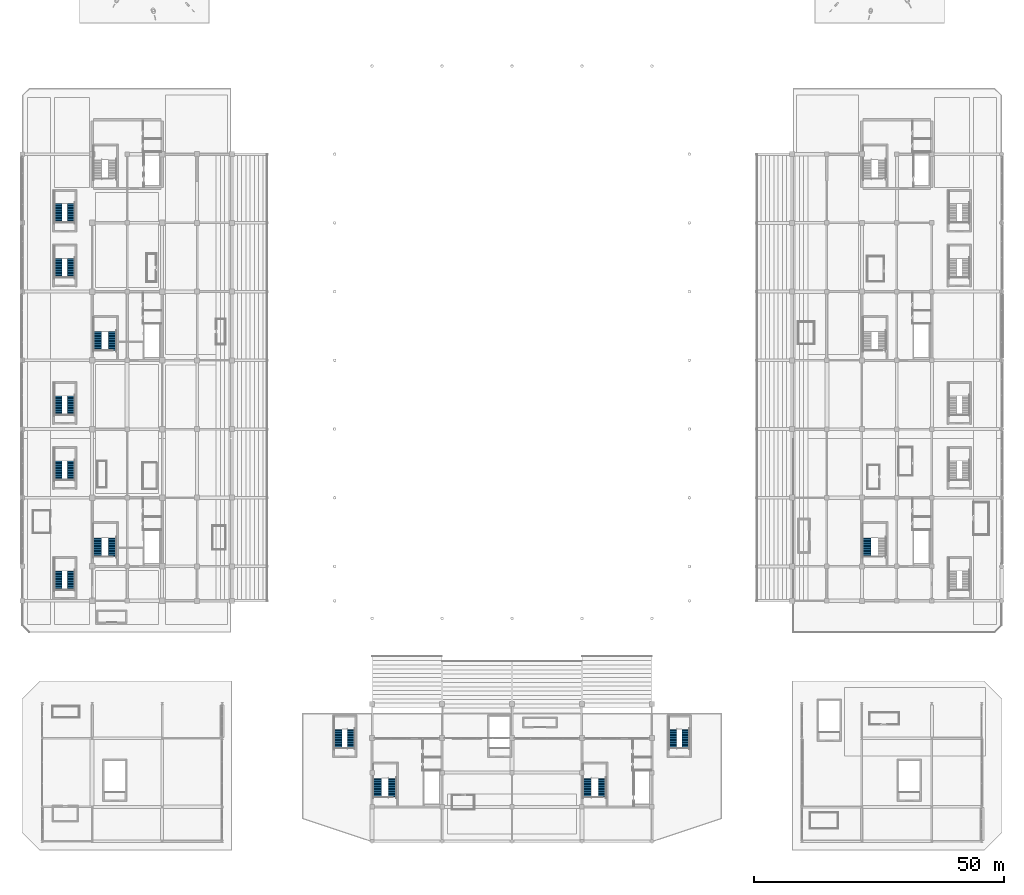
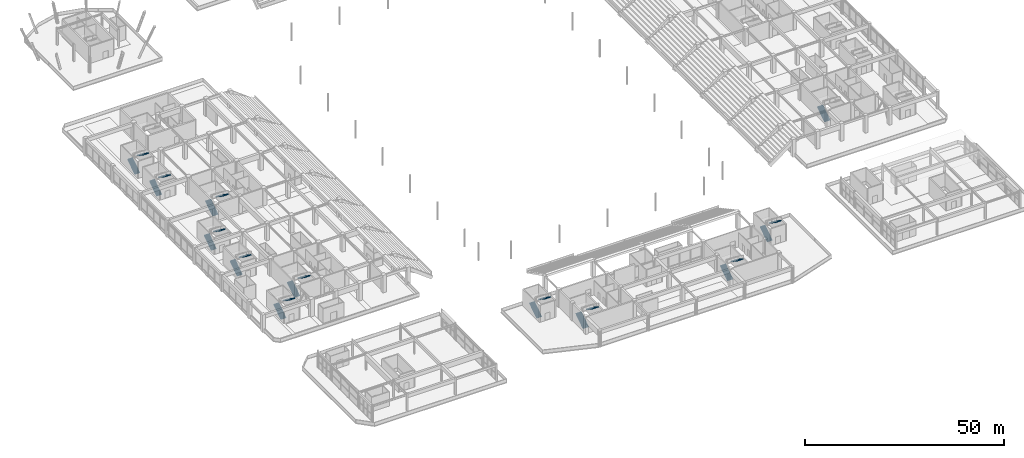
# One storey, part 100 of 117: 23 stair flights, 12 elements without a shape of their own.
"""IFC4 building model written with IfcOpenShell, lengths in metres."""

import ifcopenshell
import ifcopenshell.guid

model = None  # the IFC model being written
_history = None  # IfcOwnerHistory: only IFC2X3 demands one
_inside = {}  # id of a spatial element -> (the spatial element, [elements in it])
_under = {}  # id of a project, library or spatial element -> (it, [spatial elements below it])
_declared = {}  # id of a project -> (the project, [libraries it declares])
_typed = {}  # id of a type object -> (the type object, [elements of that type])
_made_of = {}  # id of a material, layer set ... -> (it, [elements and type objects made of it])


def new_model(schema):
    """Start an empty IFC model of exactly this schema.

    Asked for "IFC4X3", IfcOpenShell would pick the latest addendum, in which some entities
    have other attributes; the version numbers below select the first issue.
    IFC2X3 requires an IfcOwnerHistory on every rooted entity: one is made here for all.
    """
    global model, _history
    if schema == "IFC4X3":
        model = ifcopenshell.file(schema_version=(4, 3, 0, 0))
    else:
        model = ifcopenshell.file(schema=schema)
    _inside.clear()
    _under.clear()
    _declared.clear()
    _typed.clear()
    _made_of.clear()
    _history = None
    if model.schema == "IFC2X3":
        org = make("IfcOrganization", Name="unknown")
        user = make(
            "IfcPersonAndOrganization",
            ThePerson=make("IfcPerson", FamilyName="unknown"),
            TheOrganization=org,
        )
        app = make(
            "IfcApplication",
            ApplicationDeveloper=org,
            Version="unknown",
            ApplicationFullName="unknown",
            ApplicationIdentifier="unknown",
        )
        _history = make(
            "IfcOwnerHistory",
            OwningUser=user,
            OwningApplication=app,
            ChangeAction="ADDED",
            CreationDate=0,
        )
    return model


def make(cls, **values):
    """One entity of the class cls with the attributes given. An attribute that is None is left unset."""
    return model.create_entity(
        cls, **{name: value for name, value in values.items() if value is not None}
    )


def rooted(cls, **values):
    """An entity with a GlobalId (a new one), such as an element, a storey or a relation."""
    return make(cls, GlobalId=ifcopenshell.guid.new(), OwnerHistory=_history, **values)


def si_unit(unit_type, name, prefix=None):
    """IfcSIUnit, for example si_unit("LENGTHUNIT", "METRE", prefix="MILLI")."""
    return make("IfcSIUnit", UnitType=unit_type, Prefix=prefix, Name=name)


def assignment(units):
    """IfcUnitAssignment: the units of a project."""
    return None if units is None else make("IfcUnitAssignment", Units=units)


def point(xyz):
    """IfcCartesianPoint."""
    return None if xyz is None else make("IfcCartesianPoint", Coordinates=xyz)


def direction(xyz):
    """IfcDirection."""
    return None if xyz is None else make("IfcDirection", DirectionRatios=xyz)


def frame(location, z_axis=None, x_axis=None):
    """IfcAxis2Placement3D, a coordinate frame: its origin and axes. An axis left out is left unset."""
    return make(
        "IfcAxis2Placement3D",
        Location=point(location),
        Axis=direction(z_axis),
        RefDirection=direction(x_axis),
    )


def origin():
    """The frame at (0, 0, 0) with its axes left unset."""
    return frame((0.0, 0.0, 0.0))


def place(relative_to, where):
    """IfcLocalPlacement: puts the frame where relative to a parent placement (None: the world)."""
    return make(
        "IfcLocalPlacement", PlacementRelTo=relative_to, RelativePlacement=where
    )


def context(
    kind, dimensions, precision=None, world=None, true_north=None, identifier=None
):
    """IfcGeometricRepresentationContext, for example the 3D "Model" context."""
    return make(
        "IfcGeometricRepresentationContext",
        ContextIdentifier=identifier,
        ContextType=kind,
        CoordinateSpaceDimension=dimensions,
        Precision=precision,
        WorldCoordinateSystem=world,
        TrueNorth=true_north,
    )


def subcontext(parent, identifier, kind, view, scale=None):
    """IfcGeometricRepresentationSubContext, for example "Body" below "Model"."""
    return make(
        "IfcGeometricRepresentationSubContext",
        ContextIdentifier=identifier,
        ContextType=kind,
        ParentContext=parent,
        TargetScale=scale,
        TargetView=view,
    )


def project(units=None, contexts=None):
    """IfcProject with its units and contexts."""
    return rooted(
        "IfcProject",
        Name="project",
        RepresentationContexts=contexts,
        UnitsInContext=assignment(units),
    )


def spatial(cls, under=None, at=None, **own):
    """A site, building, storey or space (cls), placed at a placement, below another one or the project."""
    s = rooted(cls, ObjectPlacement=at, **own)
    if under is not None:
        _under.setdefault(under.id(), (under, []))[1].append(s)
    return s


def polyline(points):
    """IfcPolyline through the points."""
    return make("IfcPolyline", Points=[point(p) for p in points])


def outline(outer, holes=None, kind="AREA"):
    """IfcArbitraryClosedProfileDef: a profile drawn as a closed curve; with holes, ...WithVoids."""
    if holes is None:
        return make("IfcArbitraryClosedProfileDef", ProfileType=kind, OuterCurve=outer)
    return make(
        "IfcArbitraryProfileDefWithVoids",
        ProfileType=kind,
        OuterCurve=outer,
        InnerCurves=holes,
    )


def extrude(swept, where, along, depth):
    """IfcExtrudedAreaSolid: the profile swept, set in the frame where, extruded along a direction by depth."""
    return make(
        "IfcExtrudedAreaSolid",
        SweptArea=swept,
        Position=where,
        ExtrudedDirection=direction(along),
        Depth=depth,
    )


def shape(context_of_items, identifier, shape_type, items):
    """IfcShapeRepresentation: the items that make up one representation, for example the "Body"."""
    return make(
        "IfcShapeRepresentation",
        ContextOfItems=context_of_items,
        RepresentationIdentifier=identifier,
        RepresentationType=shape_type,
        Items=items,
    )


def material(Name=None, Category=None):
    """IfcMaterial."""
    return make("IfcMaterial", Name=Name, Category=Category)


def made_of(thing, what):
    """Note that an element or type object is made of a material, layer set ...; save() writes the relation."""
    if what is not None:
        _made_of.setdefault(what.id(), (what, []))[1].append(thing)
    return thing


def type_object(cls, material=None, **own):
    """A type object (cls), such as IfcWallType, which elements share."""
    return made_of(rooted(cls, **own), material)


def element(
    cls,
    number,
    at=None,
    inside=None,
    cuts=None,
    type_object=None,
    material=None,
    context=None,
    identifier="Body",
    shape_type=None,
    held_by="IfcProductDefinitionShape",
    body=None,
    shapes=None,
    **own,
):
    """One element of the class cls, such as IfcWall. Its Tag is "e" and its number.

    at: its placement. inside: the storey or other place that contains it. cuts: it is an
    opening in that element (IfcRelVoidsElement). A single representation is given by context,
    identifier, shape_type and body (its items); several are given by shapes. held_by: the class
    of the entity that holds the representations. save() writes the other relations.
    """
    e = rooted(cls, Tag="e%d" % number, ObjectPlacement=at, **own)
    if body is not None:
        shapes = [shape(context, identifier, shape_type, body)]
    if shapes is not None:
        e.Representation = make(held_by, Representations=shapes)
    if inside is not None:
        _inside.setdefault(inside.id(), (inside, []))[1].append(e)
    if cuts is not None:
        rooted(
            "IfcRelVoidsElement", RelatingBuildingElement=cuts, RelatedOpeningElement=e
        )
    if type_object is not None:
        _typed.setdefault(type_object.id(), (type_object, []))[1].append(e)
    return made_of(e, material)


def aggregate(whole, parts):
    """IfcRelAggregates: a whole, such as a stair, and the parts it consists of."""
    return rooted("IfcRelAggregates", RelatingObject=whole, RelatedObjects=parts)


def save(model, path):
    """Write the relations noted so far, then the file.

    IfcRelAggregates (storeys below a building ...), IfcRelContainedInSpatialStructure (elements
    in a storey), IfcRelDefinesByType, IfcRelAssociatesMaterial and IfcRelDeclares: one each for
    every whole, place, type object, material and project.
    """
    for whole, parts in _under.values():
        aggregate(whole, parts)
    for where, things in _inside.values():
        rooted(
            "IfcRelContainedInSpatialStructure",
            RelatedElements=things,
            RelatingStructure=where,
        )
    for kind, things in _typed.values():
        rooted("IfcRelDefinesByType", RelatedObjects=things, RelatingType=kind)
    for what, things in _made_of.values():
        rooted("IfcRelAssociatesMaterial", RelatedObjects=things, RelatingMaterial=what)
    for by, libraries in _declared.values():
        rooted("IfcRelDeclares", RelatingContext=by, RelatedDefinitions=libraries)
    model.write(path)


model = new_model("IFC4")

# Units and contexts
model_context = context("Model", 3, precision=1e-05, world=origin(), true_north=direction((0.0, 1.0)))
body_context = subcontext(model_context, "Body", "Model", "MODEL_VIEW")
ifc_project = project(units=[si_unit("LENGTHUNIT", "METRE"), si_unit("AREAUNIT", "SQUARE_METRE"), si_unit("VOLUMEUNIT", "CUBIC_METRE"), si_unit("PLANEANGLEUNIT", "RADIAN"), si_unit("MASSUNIT", "GRAM", prefix="KILO")], contexts=[model_context])

# Site, building, storey
site_placement = place(None, origin())
site = spatial("IfcSite", under=ifc_project, at=site_placement, CompositionType="ELEMENT")
building_placement = place(site_placement, origin())
building = spatial("IfcBuilding", under=site, at=building_placement, Name="Linyun Crest Stadium", CompositionType="ELEMENT")
storey_placement = place(building_placement, frame((0.0, 0.0, 6.0)))
storey = spatial("IfcBuildingStorey", under=building, at=storey_placement, Name="L02", CompositionType="ELEMENT", Elevation=6.0)

# Stair, stair flights
ifc_material_1 = material(Name="Concrete C40", Category="concrete")
stair_type = type_object("IfcStairType", Name="STA02", PredefinedType="HALF_TURN_STAIR", material=ifc_material_1)
stair_1_placement = place(storey_placement, origin())
stair_1 = element("IfcStair", 1, at=stair_1_placement, inside=storey, type_object=stair_type, Name="Evacuation stair STR-01-L02", PredefinedType="HALF_TURN_STAIR")
ifc_material_2 = material(Name="Concrete C40", Category="concrete")
stair_flight_type_1 = type_object("IfcStairFlightType", Name="STF01", PredefinedType="STRAIGHT", material=ifc_material_2)
stair_flight_1_placement = place(storey_placement, frame((-82.9599609375, -37.135009765625, 0.0), z_axis=(0.0, 0.0, 1.0), x_axis=(0.0, 1.0, 0.0)))
stair_flight_1 = element("IfcStairFlight", 2, at=stair_flight_1_placement, type_object=stair_flight_type_1, Name="STR-01-L02 flight 1", NumberOfRisers=16, NumberOfTreads=15, PredefinedType="STRAIGHT", RiserHeight=0.16875, TreadLength=0.25, context=body_context, shape_type="SweptSolid", body=[
    extrude(outline(polyline([(0.0, 0.0), (0.0, 0.168701171875), (0.25, 0.168701171875), (0.25, 0.33740234375), (0.5, 0.33740234375), (0.5, 0.50634765625), (0.75, 0.50634765625), (0.75, 0.675048828125), (1.0, 0.675048828125), (1.0, 0.84375), (1.25, 0.84375), (1.25, 1.012451171875), (1.5, 1.012451171875), (1.5, 1.18115234375), (1.75, 1.18115234375), (1.75, 1.35009765625), (2.0, 1.35009765625), (2.0, 1.518798828125), (2.25, 1.518798828125), (2.25, 1.6875), (2.5, 1.6875), (2.5, 1.856201171875), (2.75, 1.856201171875), (2.75, 2.02490234375), (3.0, 2.02490234375), (3.0, 2.19384765625), (3.25, 2.19384765625), (3.25, 2.362548828125), (3.5, 2.362548828125), (3.5, 2.53125), (3.75, 2.53125), (3.75, 2.699951171875), (3.75, 2.314208984375), (0.321533203125, 0.0), (0.0, 0.0)])), frame((0.0, 0.824951171875, 0.0), z_axis=(0.0, -1.0, 0.0), x_axis=(1.0, 0.0, 0.0)), (0.0, 0.0, 1.0), 1.64990234375),
])
stair_flight_2_placement = place(storey_placement, frame((-79.965087890625, -33.385009765625, 2.699951171875), z_axis=(0.0, 0.0, 1.0), x_axis=(0.0, -1.0, 0.0)))
stair_flight_2 = element("IfcStairFlight", 3, at=stair_flight_2_placement, type_object=stair_flight_type_1, Name="STR-01-L02 flight 2", NumberOfRisers=16, NumberOfTreads=15, PredefinedType="STRAIGHT", RiserHeight=0.16875, TreadLength=0.25, context=body_context, shape_type="SweptSolid", body=[
    extrude(outline(polyline([(0.0, 0.0), (0.0, 0.168701171875), (0.25, 0.168701171875), (0.25, 0.33740234375), (0.5, 0.33740234375), (0.5, 0.50634765625), (0.75, 0.50634765625), (0.75, 0.675048828125), (1.0, 0.675048828125), (1.0, 0.84375), (1.25, 0.84375), (1.25, 1.012451171875), (1.5, 1.012451171875), (1.5, 1.18115234375), (1.75, 1.18115234375), (1.75, 1.35009765625), (2.0, 1.35009765625), (2.0, 1.518798828125), (2.25, 1.518798828125), (2.25, 1.6875), (2.5, 1.6875), (2.5, 1.856201171875), (2.75, 1.856201171875), (2.75, 2.02490234375), (3.0, 2.02490234375), (3.0, 2.19384765625), (3.25, 2.19384765625), (3.25, 2.362548828125), (3.5, 2.362548828125), (3.5, 2.53125), (3.75, 2.53125), (3.75, 2.699951171875), (3.75, 2.314208984375), (0.321533203125, 0.0), (0.0, 0.0)])), frame((0.0, 0.824951171875, 0.0), z_axis=(0.0, -1.0, 0.0), x_axis=(1.0, 0.0, 0.0)), (0.0, 0.0, 1.0), 1.64990234375),
])
aggregate(stair_1, [stair_flight_1, stair_flight_2])

stair_2_placement = place(storey_placement, origin())
stair_2 = element("IfcStair", 4, at=stair_2_placement, inside=storey, type_object=stair_type, Name="Evacuation stair STR-02-L02", PredefinedType="HALF_TURN_STAIR")
stair_flight_3_placement = place(storey_placement, frame((-82.93505859375, 4.114990234375, 0.0), z_axis=(0.0, 0.0, 1.0), x_axis=(0.0, 1.0, 0.0)))
stair_flight_3 = element("IfcStairFlight", 5, at=stair_flight_3_placement, type_object=stair_flight_type_1, Name="STR-02-L02 flight 1", NumberOfRisers=16, NumberOfTreads=15, PredefinedType="STRAIGHT", RiserHeight=0.16875, TreadLength=0.25, context=body_context, shape_type="SweptSolid", body=[
    extrude(outline(polyline([(0.0, 0.0), (0.0, 0.168701171875), (0.25, 0.168701171875), (0.25, 0.33740234375), (0.5, 0.33740234375), (0.5, 0.50634765625), (0.75, 0.50634765625), (0.75, 0.675048828125), (1.0, 0.675048828125), (1.0, 0.84375), (1.25, 0.84375), (1.25, 1.012451171875), (1.5, 1.012451171875), (1.5, 1.18115234375), (1.75, 1.18115234375), (1.75, 1.35009765625), (2.0, 1.35009765625), (2.0, 1.518798828125), (2.25, 1.518798828125), (2.25, 1.6875), (2.5, 1.6875), (2.5, 1.856201171875), (2.75, 1.856201171875), (2.75, 2.02490234375), (3.0, 2.02490234375), (3.0, 2.19384765625), (3.25, 2.19384765625), (3.25, 2.362548828125), (3.5, 2.362548828125), (3.5, 2.53125), (3.75, 2.53125), (3.75, 2.699951171875), (3.75, 2.314208984375), (0.321533203125, 0.0), (0.0, 0.0)])), frame((0.0, 0.824951171875, 0.0), z_axis=(0.0, -1.0, 0.0), x_axis=(1.0, 0.0, 0.0)), (0.0, 0.0, 1.0), 1.64990234375),
])
stair_flight_4_placement = place(storey_placement, frame((-79.965087890625, 7.864990234375, 2.699951171875), z_axis=(0.0, 0.0, 1.0), x_axis=(0.0, -1.0, 0.0)))
stair_flight_4 = element("IfcStairFlight", 6, at=stair_flight_4_placement, type_object=stair_flight_type_1, Name="STR-02-L02 flight 2", NumberOfRisers=16, NumberOfTreads=15, PredefinedType="STRAIGHT", RiserHeight=0.16875, TreadLength=0.25, context=body_context, shape_type="SweptSolid", body=[
    extrude(outline(polyline([(0.0, 0.0), (0.0, 0.168701171875), (0.25, 0.168701171875), (0.25, 0.33740234375), (0.5, 0.33740234375), (0.5, 0.50634765625), (0.75, 0.50634765625), (0.75, 0.675048828125), (1.0, 0.675048828125), (1.0, 0.84375), (1.25, 0.84375), (1.25, 1.012451171875), (1.5, 1.012451171875), (1.5, 1.18115234375), (1.75, 1.18115234375), (1.75, 1.35009765625), (2.0, 1.35009765625), (2.0, 1.518798828125), (2.25, 1.518798828125), (2.25, 1.6875), (2.5, 1.6875), (2.5, 1.856201171875), (2.75, 1.856201171875), (2.75, 2.02490234375), (3.0, 2.02490234375), (3.0, 2.19384765625), (3.25, 2.19384765625), (3.25, 2.362548828125), (3.5, 2.362548828125), (3.5, 2.53125), (3.75, 2.53125), (3.75, 2.699951171875), (3.75, 2.314208984375), (0.321533203125, 0.0), (0.0, 0.0)])), frame((0.0, 0.824951171875, 0.0), z_axis=(0.0, -1.0, 0.0), x_axis=(1.0, 0.0, 0.0)), (0.0, 0.0, 1.0), 1.64990234375),
])
aggregate(stair_2, [stair_flight_3, stair_flight_4])

# Stair, stair flight
stair_3_placement = place(storey_placement, origin())
stair_3 = element("IfcStair", 7, at=stair_3_placement, inside=storey, type_object=stair_type, Name="Evacuation stair STR-04-L02", PredefinedType="HALF_TURN_STAIR")
stair_flight_5_placement = place(storey_placement, frame((71.0400390625, -37.135009765625, 0.0), z_axis=(0.0, 0.0, 1.0), x_axis=(0.0, 1.0, 0.0)))
stair_flight_5 = element("IfcStairFlight", 8, at=stair_flight_5_placement, type_object=stair_flight_type_1, Name="STR-04-L02 flight 1", NumberOfRisers=16, NumberOfTreads=15, PredefinedType="STRAIGHT", RiserHeight=0.16875, TreadLength=0.25, context=body_context, shape_type="SweptSolid", body=[
    extrude(outline(polyline([(0.0, 0.0), (0.0, 0.168701171875), (0.25, 0.168701171875), (0.25, 0.33740234375), (0.5, 0.33740234375), (0.5, 0.50634765625), (0.75, 0.50634765625), (0.75, 0.675048828125), (1.0, 0.675048828125), (1.0, 0.84375), (1.25, 0.84375), (1.25, 1.012451171875), (1.5, 1.012451171875), (1.5, 1.18115234375), (1.75, 1.18115234375), (1.75, 1.35009765625), (2.0, 1.35009765625), (2.0, 1.518798828125), (2.25, 1.518798828125), (2.25, 1.6875), (2.5, 1.6875), (2.5, 1.856201171875), (2.75, 1.856201171875), (2.75, 2.02490234375), (3.0, 2.02490234375), (3.0, 2.19384765625), (3.25, 2.19384765625), (3.25, 2.362548828125), (3.5, 2.362548828125), (3.5, 2.53125), (3.75, 2.53125), (3.75, 2.699951171875), (3.75, 2.314208984375), (0.321533203125, 0.0), (0.0, 0.0)])), frame((0.0, 0.824951171875, 0.0), z_axis=(0.0, -1.0, 0.0), x_axis=(1.0, 0.0, 0.0)), (0.0, 0.0, 1.0), 1.64990234375),
])
aggregate(stair_3, [stair_flight_5])

# Stair, stair flights
stair_4_placement = place(storey_placement, origin())
stair_4 = element("IfcStair", 9, at=stair_4_placement, inside=storey, type_object=stair_type, Name="Evacuation stair STR-09-L02", PredefinedType="HALF_TURN_STAIR")
stair_flight_6_placement = place(storey_placement, frame((-26.909912109375, -85.260009765625, 0.0), z_axis=(0.0, 0.0, 1.0), x_axis=(0.0, 1.0, 0.0)))
stair_flight_6 = element("IfcStairFlight", 10, at=stair_flight_6_placement, type_object=stair_flight_type_1, Name="STR-09-L02 flight 1", NumberOfRisers=16, NumberOfTreads=15, PredefinedType="STRAIGHT", RiserHeight=0.16875, TreadLength=0.25, context=body_context, shape_type="SweptSolid", body=[
    extrude(outline(polyline([(0.0, 0.0), (0.0, 0.168701171875), (0.25, 0.168701171875), (0.25, 0.33740234375), (0.5, 0.33740234375), (0.5, 0.50634765625), (0.75, 0.50634765625), (0.75, 0.675048828125), (1.0, 0.675048828125), (1.0, 0.84375), (1.25, 0.84375), (1.25, 1.012451171875), (1.5, 1.012451171875), (1.5, 1.18115234375), (1.75, 1.18115234375), (1.75, 1.35009765625), (2.0, 1.35009765625), (2.0, 1.518798828125), (2.25, 1.518798828125), (2.25, 1.6875), (2.5, 1.6875), (2.5, 1.856201171875), (2.75, 1.856201171875), (2.75, 2.02490234375), (3.0, 2.02490234375), (3.0, 2.19384765625), (3.25, 2.19384765625), (3.25, 2.362548828125), (3.5, 2.362548828125), (3.5, 2.53125), (3.75, 2.53125), (3.75, 2.699951171875), (3.75, 2.314208984375), (0.321533203125, 0.0), (0.0, 0.0)])), frame((0.0, 0.824951171875, 0.0), z_axis=(0.0, -1.0, 0.0), x_axis=(1.0, 0.0, 0.0)), (0.0, 0.0, 1.0), 1.64990234375),
])
stair_flight_7_placement = place(storey_placement, frame((-23.965087890625, -81.510009765625, 2.699951171875), z_axis=(0.0, 0.0, 1.0), x_axis=(0.0, -1.0, 0.0)))
stair_flight_7 = element("IfcStairFlight", 11, at=stair_flight_7_placement, type_object=stair_flight_type_1, Name="STR-09-L02 flight 2", NumberOfRisers=16, NumberOfTreads=15, PredefinedType="STRAIGHT", RiserHeight=0.16875, TreadLength=0.25, context=body_context, shape_type="SweptSolid", body=[
    extrude(outline(polyline([(0.0, 0.0), (0.0, 0.168701171875), (0.25, 0.168701171875), (0.25, 0.33740234375), (0.5, 0.33740234375), (0.5, 0.50634765625), (0.75, 0.50634765625), (0.75, 0.675048828125), (1.0, 0.675048828125), (1.0, 0.84375), (1.25, 0.84375), (1.25, 1.012451171875), (1.5, 1.012451171875), (1.5, 1.18115234375), (1.75, 1.18115234375), (1.75, 1.35009765625), (2.0, 1.35009765625), (2.0, 1.518798828125), (2.25, 1.518798828125), (2.25, 1.6875), (2.5, 1.6875), (2.5, 1.856201171875), (2.75, 1.856201171875), (2.75, 2.02490234375), (3.0, 2.02490234375), (3.0, 2.19384765625), (3.25, 2.19384765625), (3.25, 2.362548828125), (3.5, 2.362548828125), (3.5, 2.53125), (3.75, 2.53125), (3.75, 2.699951171875), (3.75, 2.314208984375), (0.321533203125, 0.0), (0.0, 0.0)])), frame((0.0, 0.824951171875, 0.0), z_axis=(0.0, -1.0, 0.0), x_axis=(1.0, 0.0, 0.0)), (0.0, 0.0, 1.0), 1.64990234375),
])
aggregate(stair_4, [stair_flight_6, stair_flight_7])

stair_5_placement = place(storey_placement, origin())
stair_5 = element("IfcStair", 12, at=stair_5_placement, inside=storey, type_object=stair_type, Name="Evacuation stair STR-10-L02", PredefinedType="HALF_TURN_STAIR")
stair_flight_8_placement = place(storey_placement, frame((15.0400390625, -85.260009765625, 0.0), z_axis=(0.0, 0.0, 1.0), x_axis=(0.0, 1.0, 0.0)))
stair_flight_8 = element("IfcStairFlight", 13, at=stair_flight_8_placement, type_object=stair_flight_type_1, Name="STR-10-L02 flight 1", NumberOfRisers=16, NumberOfTreads=15, PredefinedType="STRAIGHT", RiserHeight=0.16875, TreadLength=0.25, context=body_context, shape_type="SweptSolid", body=[
    extrude(outline(polyline([(0.0, 0.0), (0.0, 0.168701171875), (0.25, 0.168701171875), (0.25, 0.33740234375), (0.5, 0.33740234375), (0.5, 0.50634765625), (0.75, 0.50634765625), (0.75, 0.675048828125), (1.0, 0.675048828125), (1.0, 0.84375), (1.25, 0.84375), (1.25, 1.012451171875), (1.5, 1.012451171875), (1.5, 1.18115234375), (1.75, 1.18115234375), (1.75, 1.35009765625), (2.0, 1.35009765625), (2.0, 1.518798828125), (2.25, 1.518798828125), (2.25, 1.6875), (2.5, 1.6875), (2.5, 1.856201171875), (2.75, 1.856201171875), (2.75, 2.02490234375), (3.0, 2.02490234375), (3.0, 2.19384765625), (3.25, 2.19384765625), (3.25, 2.362548828125), (3.5, 2.362548828125), (3.5, 2.53125), (3.75, 2.53125), (3.75, 2.699951171875), (3.75, 2.314208984375), (0.321533203125, 0.0), (0.0, 0.0)])), frame((0.0, 0.824951171875, 0.0), z_axis=(0.0, -1.0, 0.0), x_axis=(1.0, 0.0, 0.0)), (0.0, 0.0, 1.0), 1.64990234375),
])
stair_flight_9_placement = place(storey_placement, frame((18.034912109375, -81.510009765625, 2.699951171875), z_axis=(0.0, 0.0, 1.0), x_axis=(0.0, -1.0, 0.0)))
stair_flight_9 = element("IfcStairFlight", 14, at=stair_flight_9_placement, type_object=stair_flight_type_1, Name="STR-10-L02 flight 2", NumberOfRisers=16, NumberOfTreads=15, PredefinedType="STRAIGHT", RiserHeight=0.16875, TreadLength=0.25, context=body_context, shape_type="SweptSolid", body=[
    extrude(outline(polyline([(0.0, 0.0), (0.0, 0.168701171875), (0.25, 0.168701171875), (0.25, 0.33740234375), (0.5, 0.33740234375), (0.5, 0.50634765625), (0.75, 0.50634765625), (0.75, 0.675048828125), (1.0, 0.675048828125), (1.0, 0.84375), (1.25, 0.84375), (1.25, 1.012451171875), (1.5, 1.012451171875), (1.5, 1.18115234375), (1.75, 1.18115234375), (1.75, 1.35009765625), (2.0, 1.35009765625), (2.0, 1.518798828125), (2.25, 1.518798828125), (2.25, 1.6875), (2.5, 1.6875), (2.5, 1.856201171875), (2.75, 1.856201171875), (2.75, 2.02490234375), (3.0, 2.02490234375), (3.0, 2.19384765625), (3.25, 2.19384765625), (3.25, 2.362548828125), (3.5, 2.362548828125), (3.5, 2.53125), (3.75, 2.53125), (3.75, 2.699951171875), (3.75, 2.314208984375), (0.321533203125, 0.0), (0.0, 0.0)])), frame((0.0, 0.824951171875, 0.0), z_axis=(0.0, -1.0, 0.0), x_axis=(1.0, 0.0, 0.0)), (0.0, 0.0, 1.0), 1.64990234375),
])
aggregate(stair_5, [stair_flight_8, stair_flight_9])

stair_6_placement = place(storey_placement, origin())
stair_6 = element("IfcStair", 15, at=stair_6_placement, inside=storey, type_object=stair_type, Name="Vomitory evacuation stair STR-13-L02", PredefinedType="HALF_TURN_STAIR")
ifc_material_3 = material(Name="Concrete C40", Category="concrete")
stair_flight_type_2 = type_object("IfcStairFlightType", Name="STF02", PredefinedType="STRAIGHT", material=ifc_material_3)
stair_flight_10_placement = place(storey_placement, frame((-90.784912109375, -43.780029296875, 0.0), z_axis=(0.0, 0.0, 1.0), x_axis=(0.0, 1.0, 0.0)))
stair_flight_10 = element("IfcStairFlight", 16, at=stair_flight_10_placement, type_object=stair_flight_type_2, Name="STR-13-L02 flight 1", NumberOfRisers=16, NumberOfTreads=15, PredefinedType="STRAIGHT", RiserHeight=0.16875, TreadLength=0.25, context=body_context, shape_type="SweptSolid", body=[
    extrude(outline(polyline([(0.0, 0.0), (0.0, 0.168701171875), (0.25, 0.168701171875), (0.25, 0.33740234375), (0.5, 0.33740234375), (0.5, 0.50634765625), (0.75, 0.50634765625), (0.75, 0.675048828125), (1.0, 0.675048828125), (1.0, 0.84375), (1.25, 0.84375), (1.25, 1.012451171875), (1.5, 1.012451171875), (1.5, 1.18115234375), (1.75, 1.18115234375), (1.75, 1.35009765625), (2.0, 1.35009765625), (2.0, 1.518798828125), (2.25, 1.518798828125), (2.25, 1.6875), (2.5, 1.6875), (2.5, 1.856201171875), (2.75, 1.856201171875), (2.75, 2.02490234375), (3.0, 2.02490234375), (3.0, 2.19384765625), (3.25, 2.19384765625), (3.25, 2.362548828125), (3.5, 2.362548828125), (3.5, 2.53125), (3.75, 2.53125), (3.75, 2.699951171875), (3.75, 2.314208984375), (0.321533203125, 0.0), (0.0, 0.0)])), frame((0.0, 0.77490234375, 0.0), z_axis=(0.0, -1.0, 0.0), x_axis=(1.0, 0.0, 0.0)), (0.0, 0.0, 1.0), 1.550048828125),
])
stair_flight_11_placement = place(storey_placement, frame((-88.215087890625, -40.030029296875, 2.699951171875), z_axis=(0.0, 0.0, 1.0), x_axis=(0.0, -1.0, 0.0)))
stair_flight_11 = element("IfcStairFlight", 17, at=stair_flight_11_placement, type_object=stair_flight_type_2, Name="STR-13-L02 flight 2", NumberOfRisers=16, NumberOfTreads=15, PredefinedType="STRAIGHT", RiserHeight=0.16875, TreadLength=0.25, context=body_context, shape_type="SweptSolid", body=[
    extrude(outline(polyline([(0.0, 0.0), (0.0, 0.168701171875), (0.25, 0.168701171875), (0.25, 0.33740234375), (0.5, 0.33740234375), (0.5, 0.50634765625), (0.75, 0.50634765625), (0.75, 0.675048828125), (1.0, 0.675048828125), (1.0, 0.84375), (1.25, 0.84375), (1.25, 1.012451171875), (1.5, 1.012451171875), (1.5, 1.18115234375), (1.75, 1.18115234375), (1.75, 1.35009765625), (2.0, 1.35009765625), (2.0, 1.518798828125), (2.25, 1.518798828125), (2.25, 1.6875), (2.5, 1.6875), (2.5, 1.856201171875), (2.75, 1.856201171875), (2.75, 2.02490234375), (3.0, 2.02490234375), (3.0, 2.19384765625), (3.25, 2.19384765625), (3.25, 2.362548828125), (3.5, 2.362548828125), (3.5, 2.53125), (3.75, 2.53125), (3.75, 2.699951171875), (3.75, 2.314208984375), (0.321533203125, 0.0), (0.0, 0.0)])), frame((0.0, 0.77490234375, 0.0), z_axis=(0.0, -1.0, 0.0), x_axis=(1.0, 0.0, 0.0)), (0.0, 0.0, 1.0), 1.550048828125),
])
aggregate(stair_6, [stair_flight_10, stair_flight_11])

stair_7_placement = place(storey_placement, origin())
stair_7 = element("IfcStair", 18, at=stair_7_placement, inside=storey, type_object=stair_type, Name="Vomitory evacuation stair STR-14-L02", PredefinedType="HALF_TURN_STAIR")
stair_flight_12_placement = place(storey_placement, frame((-90.784912109375, -21.780029296875, 0.0), z_axis=(0.0, 0.0, 1.0), x_axis=(0.0, 1.0, 0.0)))
stair_flight_12 = element("IfcStairFlight", 19, at=stair_flight_12_placement, type_object=stair_flight_type_2, Name="STR-14-L02 flight 1", NumberOfRisers=16, NumberOfTreads=15, PredefinedType="STRAIGHT", RiserHeight=0.16875, TreadLength=0.25, context=body_context, shape_type="SweptSolid", body=[
    extrude(outline(polyline([(0.0, 0.0), (0.0, 0.168701171875), (0.25, 0.168701171875), (0.25, 0.33740234375), (0.5, 0.33740234375), (0.5, 0.50634765625), (0.75, 0.50634765625), (0.75, 0.675048828125), (1.0, 0.675048828125), (1.0, 0.84375), (1.25, 0.84375), (1.25, 1.012451171875), (1.5, 1.012451171875), (1.5, 1.18115234375), (1.75, 1.18115234375), (1.75, 1.35009765625), (2.0, 1.35009765625), (2.0, 1.518798828125), (2.25, 1.518798828125), (2.25, 1.6875), (2.5, 1.6875), (2.5, 1.856201171875), (2.75, 1.856201171875), (2.75, 2.02490234375), (3.0, 2.02490234375), (3.0, 2.19384765625), (3.25, 2.19384765625), (3.25, 2.362548828125), (3.5, 2.362548828125), (3.5, 2.53125), (3.75, 2.53125), (3.75, 2.699951171875), (3.75, 2.314208984375), (0.321533203125, 0.0), (0.0, 0.0)])), frame((0.0, 0.77490234375, 0.0), z_axis=(0.0, -1.0, 0.0), x_axis=(1.0, 0.0, 0.0)), (0.0, 0.0, 1.0), 1.550048828125),
])
stair_flight_13_placement = place(storey_placement, frame((-88.215087890625, -18.030029296875, 2.699951171875), z_axis=(0.0, 0.0, 1.0), x_axis=(0.0, -1.0, 0.0)))
stair_flight_13 = element("IfcStairFlight", 20, at=stair_flight_13_placement, type_object=stair_flight_type_2, Name="STR-14-L02 flight 2", NumberOfRisers=16, NumberOfTreads=15, PredefinedType="STRAIGHT", RiserHeight=0.16875, TreadLength=0.25, context=body_context, shape_type="SweptSolid", body=[
    extrude(outline(polyline([(0.0, 0.0), (0.0, 0.168701171875), (0.25, 0.168701171875), (0.25, 0.33740234375), (0.5, 0.33740234375), (0.5, 0.50634765625), (0.75, 0.50634765625), (0.75, 0.675048828125), (1.0, 0.675048828125), (1.0, 0.84375), (1.25, 0.84375), (1.25, 1.012451171875), (1.5, 1.012451171875), (1.5, 1.18115234375), (1.75, 1.18115234375), (1.75, 1.35009765625), (2.0, 1.35009765625), (2.0, 1.518798828125), (2.25, 1.518798828125), (2.25, 1.6875), (2.5, 1.6875), (2.5, 1.856201171875), (2.75, 1.856201171875), (2.75, 2.02490234375), (3.0, 2.02490234375), (3.0, 2.19384765625), (3.25, 2.19384765625), (3.25, 2.362548828125), (3.5, 2.362548828125), (3.5, 2.53125), (3.75, 2.53125), (3.75, 2.699951171875), (3.75, 2.314208984375), (0.321533203125, 0.0), (0.0, 0.0)])), frame((0.0, 0.77490234375, 0.0), z_axis=(0.0, -1.0, 0.0), x_axis=(1.0, 0.0, 0.0)), (0.0, 0.0, 1.0), 1.550048828125),
])
aggregate(stair_7, [stair_flight_12, stair_flight_13])

stair_8_placement = place(storey_placement, origin())
stair_8 = element("IfcStair", 21, at=stair_8_placement, inside=storey, type_object=stair_type, Name="Vomitory evacuation stair STR-15-L02", PredefinedType="HALF_TURN_STAIR")
stair_flight_14_placement = place(storey_placement, frame((-90.784912109375, -8.780029296875, 0.0), z_axis=(0.0, 0.0, 1.0), x_axis=(0.0, 1.0, 0.0)))
stair_flight_14 = element("IfcStairFlight", 22, at=stair_flight_14_placement, type_object=stair_flight_type_2, Name="STR-15-L02 flight 1", NumberOfRisers=16, NumberOfTreads=15, PredefinedType="STRAIGHT", RiserHeight=0.16875, TreadLength=0.25, context=body_context, shape_type="SweptSolid", body=[
    extrude(outline(polyline([(0.0, 0.0), (0.0, 0.168701171875), (0.25, 0.168701171875), (0.25, 0.33740234375), (0.5, 0.33740234375), (0.5, 0.50634765625), (0.75, 0.50634765625), (0.75, 0.675048828125), (1.0, 0.675048828125), (1.0, 0.84375), (1.25, 0.84375), (1.25, 1.012451171875), (1.5, 1.012451171875), (1.5, 1.18115234375), (1.75, 1.18115234375), (1.75, 1.35009765625), (2.0, 1.35009765625), (2.0, 1.518798828125), (2.25, 1.518798828125), (2.25, 1.6875), (2.5, 1.6875), (2.5, 1.856201171875), (2.75, 1.856201171875), (2.75, 2.02490234375), (3.0, 2.02490234375), (3.0, 2.19384765625), (3.25, 2.19384765625), (3.25, 2.362548828125), (3.5, 2.362548828125), (3.5, 2.53125), (3.75, 2.53125), (3.75, 2.699951171875), (3.75, 2.314208984375), (0.321533203125, 0.0), (0.0, 0.0)])), frame((0.0, 0.77490234375, 0.0), z_axis=(0.0, -1.0, 0.0), x_axis=(1.0, 0.0, 0.0)), (0.0, 0.0, 1.0), 1.550048828125),
])
stair_flight_15_placement = place(storey_placement, frame((-88.215087890625, -5.030029296875, 2.699951171875), z_axis=(0.0, 0.0, 1.0), x_axis=(0.0, -1.0, 0.0)))
stair_flight_15 = element("IfcStairFlight", 23, at=stair_flight_15_placement, type_object=stair_flight_type_2, Name="STR-15-L02 flight 2", NumberOfRisers=16, NumberOfTreads=15, PredefinedType="STRAIGHT", RiserHeight=0.16875, TreadLength=0.25, context=body_context, shape_type="SweptSolid", body=[
    extrude(outline(polyline([(0.0, 0.0), (0.0, 0.168701171875), (0.25, 0.168701171875), (0.25, 0.33740234375), (0.5, 0.33740234375), (0.5, 0.50634765625), (0.75, 0.50634765625), (0.75, 0.675048828125), (1.0, 0.675048828125), (1.0, 0.84375), (1.25, 0.84375), (1.25, 1.012451171875), (1.5, 1.012451171875), (1.5, 1.18115234375), (1.75, 1.18115234375), (1.75, 1.35009765625), (2.0, 1.35009765625), (2.0, 1.518798828125), (2.25, 1.518798828125), (2.25, 1.6875), (2.5, 1.6875), (2.5, 1.856201171875), (2.75, 1.856201171875), (2.75, 2.02490234375), (3.0, 2.02490234375), (3.0, 2.19384765625), (3.25, 2.19384765625), (3.25, 2.362548828125), (3.5, 2.362548828125), (3.5, 2.53125), (3.75, 2.53125), (3.75, 2.699951171875), (3.75, 2.314208984375), (0.321533203125, 0.0), (0.0, 0.0)])), frame((0.0, 0.77490234375, 0.0), z_axis=(0.0, -1.0, 0.0), x_axis=(1.0, 0.0, 0.0)), (0.0, 0.0, 1.0), 1.550048828125),
])
aggregate(stair_8, [stair_flight_14, stair_flight_15])

stair_9_placement = place(storey_placement, origin())
stair_9 = element("IfcStair", 24, at=stair_9_placement, inside=storey, type_object=stair_type, Name="Vomitory evacuation stair STR-16-L02", PredefinedType="HALF_TURN_STAIR")
stair_flight_16_placement = place(storey_placement, frame((-90.784912109375, 18.719970703125, 0.0), z_axis=(0.0, 0.0, 1.0), x_axis=(0.0, 1.0, 0.0)))
stair_flight_16 = element("IfcStairFlight", 25, at=stair_flight_16_placement, type_object=stair_flight_type_2, Name="STR-16-L02 flight 1", NumberOfRisers=16, NumberOfTreads=15, PredefinedType="STRAIGHT", RiserHeight=0.16875, TreadLength=0.25, context=body_context, shape_type="SweptSolid", body=[
    extrude(outline(polyline([(0.0, 0.0), (0.0, 0.168701171875), (0.25, 0.168701171875), (0.25, 0.33740234375), (0.5, 0.33740234375), (0.5, 0.50634765625), (0.75, 0.50634765625), (0.75, 0.675048828125), (1.0, 0.675048828125), (1.0, 0.84375), (1.25, 0.84375), (1.25, 1.012451171875), (1.5, 1.012451171875), (1.5, 1.18115234375), (1.75, 1.18115234375), (1.75, 1.35009765625), (2.0, 1.35009765625), (2.0, 1.518798828125), (2.25, 1.518798828125), (2.25, 1.6875), (2.5, 1.6875), (2.5, 1.856201171875), (2.75, 1.856201171875), (2.75, 2.02490234375), (3.0, 2.02490234375), (3.0, 2.19384765625), (3.25, 2.19384765625), (3.25, 2.362548828125), (3.5, 2.362548828125), (3.5, 2.53125), (3.75, 2.53125), (3.75, 2.699951171875), (3.75, 2.314208984375), (0.321533203125, 0.0), (0.0, 0.0)])), frame((0.0, 0.77490234375, 0.0), z_axis=(0.0, -1.0, 0.0), x_axis=(1.0, 0.0, 0.0)), (0.0, 0.0, 1.0), 1.550048828125),
])
stair_flight_17_placement = place(storey_placement, frame((-88.215087890625, 22.469970703125, 2.699951171875), z_axis=(0.0, 0.0, 1.0), x_axis=(0.0, -1.0, 0.0)))
stair_flight_17 = element("IfcStairFlight", 26, at=stair_flight_17_placement, type_object=stair_flight_type_2, Name="STR-16-L02 flight 2", NumberOfRisers=16, NumberOfTreads=15, PredefinedType="STRAIGHT", RiserHeight=0.16875, TreadLength=0.25, context=body_context, shape_type="SweptSolid", body=[
    extrude(outline(polyline([(0.0, 0.0), (0.0, 0.168701171875), (0.25, 0.168701171875), (0.25, 0.33740234375), (0.5, 0.33740234375), (0.5, 0.50634765625), (0.75, 0.50634765625), (0.75, 0.675048828125), (1.0, 0.675048828125), (1.0, 0.84375), (1.25, 0.84375), (1.25, 1.012451171875), (1.5, 1.012451171875), (1.5, 1.18115234375), (1.75, 1.18115234375), (1.75, 1.35009765625), (2.0, 1.35009765625), (2.0, 1.518798828125), (2.25, 1.518798828125), (2.25, 1.6875), (2.5, 1.6875), (2.5, 1.856201171875), (2.75, 1.856201171875), (2.75, 2.02490234375), (3.0, 2.02490234375), (3.0, 2.19384765625), (3.25, 2.19384765625), (3.25, 2.362548828125), (3.5, 2.362548828125), (3.5, 2.53125), (3.75, 2.53125), (3.75, 2.699951171875), (3.75, 2.314208984375), (0.321533203125, 0.0), (0.0, 0.0)])), frame((0.0, 0.77490234375, 0.0), z_axis=(0.0, -1.0, 0.0), x_axis=(1.0, 0.0, 0.0)), (0.0, 0.0, 1.0), 1.550048828125),
])
aggregate(stair_9, [stair_flight_16, stair_flight_17])

stair_10_placement = place(storey_placement, origin())
stair_10 = element("IfcStair", 27, at=stair_10_placement, inside=storey, type_object=stair_type, Name="Vomitory evacuation stair STR-17-L02", PredefinedType="HALF_TURN_STAIR")
stair_flight_18_placement = place(storey_placement, frame((-90.784912109375, 29.719970703125, 0.0), z_axis=(0.0, 0.0, 1.0), x_axis=(0.0, 1.0, 0.0)))
stair_flight_18 = element("IfcStairFlight", 28, at=stair_flight_18_placement, type_object=stair_flight_type_2, Name="STR-17-L02 flight 1", NumberOfRisers=16, NumberOfTreads=15, PredefinedType="STRAIGHT", RiserHeight=0.16875, TreadLength=0.25, context=body_context, shape_type="SweptSolid", body=[
    extrude(outline(polyline([(0.0, 0.0), (0.0, 0.168701171875), (0.25, 0.168701171875), (0.25, 0.33740234375), (0.5, 0.33740234375), (0.5, 0.50634765625), (0.75, 0.50634765625), (0.75, 0.675048828125), (1.0, 0.675048828125), (1.0, 0.84375), (1.25, 0.84375), (1.25, 1.012451171875), (1.5, 1.012451171875), (1.5, 1.18115234375), (1.75, 1.18115234375), (1.75, 1.35009765625), (2.0, 1.35009765625), (2.0, 1.518798828125), (2.25, 1.518798828125), (2.25, 1.6875), (2.5, 1.6875), (2.5, 1.856201171875), (2.75, 1.856201171875), (2.75, 2.02490234375), (3.0, 2.02490234375), (3.0, 2.19384765625), (3.25, 2.19384765625), (3.25, 2.362548828125), (3.5, 2.362548828125), (3.5, 2.53125), (3.75, 2.53125), (3.75, 2.699951171875), (3.75, 2.314208984375), (0.321533203125, 0.0), (0.0, 0.0)])), frame((0.0, 0.77490234375, 0.0), z_axis=(0.0, -1.0, 0.0), x_axis=(1.0, 0.0, 0.0)), (0.0, 0.0, 1.0), 1.550048828125),
])
stair_flight_19_placement = place(storey_placement, frame((-88.215087890625, 33.469970703125, 2.699951171875), z_axis=(0.0, 0.0, 1.0), x_axis=(0.0, -1.0, 0.0)))
stair_flight_19 = element("IfcStairFlight", 29, at=stair_flight_19_placement, type_object=stair_flight_type_2, Name="STR-17-L02 flight 2", NumberOfRisers=16, NumberOfTreads=15, PredefinedType="STRAIGHT", RiserHeight=0.16875, TreadLength=0.25, context=body_context, shape_type="SweptSolid", body=[
    extrude(outline(polyline([(0.0, 0.0), (0.0, 0.168701171875), (0.25, 0.168701171875), (0.25, 0.33740234375), (0.5, 0.33740234375), (0.5, 0.50634765625), (0.75, 0.50634765625), (0.75, 0.675048828125), (1.0, 0.675048828125), (1.0, 0.84375), (1.25, 0.84375), (1.25, 1.012451171875), (1.5, 1.012451171875), (1.5, 1.18115234375), (1.75, 1.18115234375), (1.75, 1.35009765625), (2.0, 1.35009765625), (2.0, 1.518798828125), (2.25, 1.518798828125), (2.25, 1.6875), (2.5, 1.6875), (2.5, 1.856201171875), (2.75, 1.856201171875), (2.75, 2.02490234375), (3.0, 2.02490234375), (3.0, 2.19384765625), (3.25, 2.19384765625), (3.25, 2.362548828125), (3.5, 2.362548828125), (3.5, 2.53125), (3.75, 2.53125), (3.75, 2.699951171875), (3.75, 2.314208984375), (0.321533203125, 0.0), (0.0, 0.0)])), frame((0.0, 0.77490234375, 0.0), z_axis=(0.0, -1.0, 0.0), x_axis=(1.0, 0.0, 0.0)), (0.0, 0.0, 1.0), 1.550048828125),
])
aggregate(stair_10, [stair_flight_18, stair_flight_19])

stair_11_placement = place(storey_placement, origin())
stair_11 = element("IfcStair", 30, at=stair_11_placement, inside=storey, type_object=stair_type, Name="Vomitory evacuation stair STR-27-L02", PredefinedType="HALF_TURN_STAIR")
stair_flight_20_placement = place(storey_placement, frame((-34.784912109375, -75.47998046875, 0.0), z_axis=(0.0, 0.0, 1.0), x_axis=(0.0, 1.0, 0.0)))
stair_flight_20 = element("IfcStairFlight", 31, at=stair_flight_20_placement, type_object=stair_flight_type_2, Name="STR-27-L02 flight 1", NumberOfRisers=16, NumberOfTreads=15, PredefinedType="STRAIGHT", RiserHeight=0.16875, TreadLength=0.25, context=body_context, shape_type="SweptSolid", body=[
    extrude(outline(polyline([(0.0, 0.0), (0.0, 0.168701171875), (0.25, 0.168701171875), (0.25, 0.33740234375), (0.5, 0.33740234375), (0.5, 0.50634765625), (0.75, 0.50634765625), (0.75, 0.675048828125), (1.0, 0.675048828125), (1.0, 0.84375), (1.25, 0.84375), (1.25, 1.012451171875), (1.5, 1.012451171875), (1.5, 1.18115234375), (1.75, 1.18115234375), (1.75, 1.35009765625), (2.0, 1.35009765625), (2.0, 1.518798828125), (2.25, 1.518798828125), (2.25, 1.6875), (2.5, 1.6875), (2.5, 1.856201171875), (2.75, 1.856201171875), (2.75, 2.02490234375), (3.0, 2.02490234375), (3.0, 2.19384765625), (3.25, 2.19384765625), (3.25, 2.362548828125), (3.5, 2.362548828125), (3.5, 2.53125), (3.75, 2.53125), (3.75, 2.699951171875), (3.75, 2.314208984375), (0.321533203125, 0.0), (0.0, 0.0)])), frame((0.0, 0.77490234375, 0.0), z_axis=(0.0, -1.0, 0.0), x_axis=(1.0, 0.0, 0.0)), (0.0, 0.0, 1.0), 1.550048828125),
])
stair_flight_21_placement = place(storey_placement, frame((-32.215087890625, -71.72998046875, 2.699951171875), z_axis=(0.0, 0.0, 1.0), x_axis=(0.0, -1.0, 0.0)))
stair_flight_21 = element("IfcStairFlight", 32, at=stair_flight_21_placement, type_object=stair_flight_type_2, Name="STR-27-L02 flight 2", NumberOfRisers=16, NumberOfTreads=15, PredefinedType="STRAIGHT", RiserHeight=0.16875, TreadLength=0.25, context=body_context, shape_type="SweptSolid", body=[
    extrude(outline(polyline([(0.0, 0.0), (0.0, 0.168701171875), (0.25, 0.168701171875), (0.25, 0.33740234375), (0.5, 0.33740234375), (0.5, 0.50634765625), (0.75, 0.50634765625), (0.75, 0.675048828125), (1.0, 0.675048828125), (1.0, 0.84375), (1.25, 0.84375), (1.25, 1.012451171875), (1.5, 1.012451171875), (1.5, 1.18115234375), (1.75, 1.18115234375), (1.75, 1.35009765625), (2.0, 1.35009765625), (2.0, 1.518798828125), (2.25, 1.518798828125), (2.25, 1.6875), (2.5, 1.6875), (2.5, 1.856201171875), (2.75, 1.856201171875), (2.75, 2.02490234375), (3.0, 2.02490234375), (3.0, 2.19384765625), (3.25, 2.19384765625), (3.25, 2.362548828125), (3.5, 2.362548828125), (3.5, 2.53125), (3.75, 2.53125), (3.75, 2.699951171875), (3.75, 2.314208984375), (0.321533203125, 0.0), (0.0, 0.0)])), frame((0.0, 0.77490234375, 0.0), z_axis=(0.0, -1.0, 0.0), x_axis=(1.0, 0.0, 0.0)), (0.0, 0.0, 1.0), 1.550048828125),
])
aggregate(stair_11, [stair_flight_20, stair_flight_21])

stair_12_placement = place(storey_placement, origin())
stair_12 = element("IfcStair", 33, at=stair_12_placement, inside=storey, type_object=stair_type, Name="Vomitory evacuation stair STR-29-L02", PredefinedType="HALF_TURN_STAIR")
stair_flight_22_placement = place(storey_placement, frame((32.215087890625, -75.47998046875, 0.0), z_axis=(0.0, 0.0, 1.0), x_axis=(0.0, 1.0, 0.0)))
stair_flight_22 = element("IfcStairFlight", 34, at=stair_flight_22_placement, type_object=stair_flight_type_2, Name="STR-29-L02 flight 1", NumberOfRisers=16, NumberOfTreads=15, PredefinedType="STRAIGHT", RiserHeight=0.16875, TreadLength=0.25, context=body_context, shape_type="SweptSolid", body=[
    extrude(outline(polyline([(0.0, 0.0), (0.0, 0.168701171875), (0.25, 0.168701171875), (0.25, 0.33740234375), (0.5, 0.33740234375), (0.5, 0.50634765625), (0.75, 0.50634765625), (0.75, 0.675048828125), (1.0, 0.675048828125), (1.0, 0.84375), (1.25, 0.84375), (1.25, 1.012451171875), (1.5, 1.012451171875), (1.5, 1.18115234375), (1.75, 1.18115234375), (1.75, 1.35009765625), (2.0, 1.35009765625), (2.0, 1.518798828125), (2.25, 1.518798828125), (2.25, 1.6875), (2.5, 1.6875), (2.5, 1.856201171875), (2.75, 1.856201171875), (2.75, 2.02490234375), (3.0, 2.02490234375), (3.0, 2.19384765625), (3.25, 2.19384765625), (3.25, 2.362548828125), (3.5, 2.362548828125), (3.5, 2.53125), (3.75, 2.53125), (3.75, 2.699951171875), (3.75, 2.314208984375), (0.321533203125, 0.0), (0.0, 0.0)])), frame((0.0, 0.77490234375, 0.0), z_axis=(0.0, -1.0, 0.0), x_axis=(1.0, 0.0, 0.0)), (0.0, 0.0, 1.0), 1.550048828125),
])
stair_flight_23_placement = place(storey_placement, frame((34.784912109375, -71.72998046875, 2.699951171875), z_axis=(0.0, 0.0, 1.0), x_axis=(0.0, -1.0, 0.0)))
stair_flight_23 = element("IfcStairFlight", 35, at=stair_flight_23_placement, type_object=stair_flight_type_2, Name="STR-29-L02 flight 2", NumberOfRisers=16, NumberOfTreads=15, PredefinedType="STRAIGHT", RiserHeight=0.16875, TreadLength=0.25, context=body_context, shape_type="SweptSolid", body=[
    extrude(outline(polyline([(0.0, 0.0), (0.0, 0.168701171875), (0.25, 0.168701171875), (0.25, 0.33740234375), (0.5, 0.33740234375), (0.5, 0.50634765625), (0.75, 0.50634765625), (0.75, 0.675048828125), (1.0, 0.675048828125), (1.0, 0.84375), (1.25, 0.84375), (1.25, 1.012451171875), (1.5, 1.012451171875), (1.5, 1.18115234375), (1.75, 1.18115234375), (1.75, 1.35009765625), (2.0, 1.35009765625), (2.0, 1.518798828125), (2.25, 1.518798828125), (2.25, 1.6875), (2.5, 1.6875), (2.5, 1.856201171875), (2.75, 1.856201171875), (2.75, 2.02490234375), (3.0, 2.02490234375), (3.0, 2.19384765625), (3.25, 2.19384765625), (3.25, 2.362548828125), (3.5, 2.362548828125), (3.5, 2.53125), (3.75, 2.53125), (3.75, 2.699951171875), (3.75, 2.314208984375), (0.321533203125, 0.0), (0.0, 0.0)])), frame((0.0, 0.77490234375, 0.0), z_axis=(0.0, -1.0, 0.0), x_axis=(1.0, 0.0, 0.0)), (0.0, 0.0, 1.0), 1.550048828125),
])
aggregate(stair_12, [stair_flight_22, stair_flight_23])

save(model, "model.ifc")
